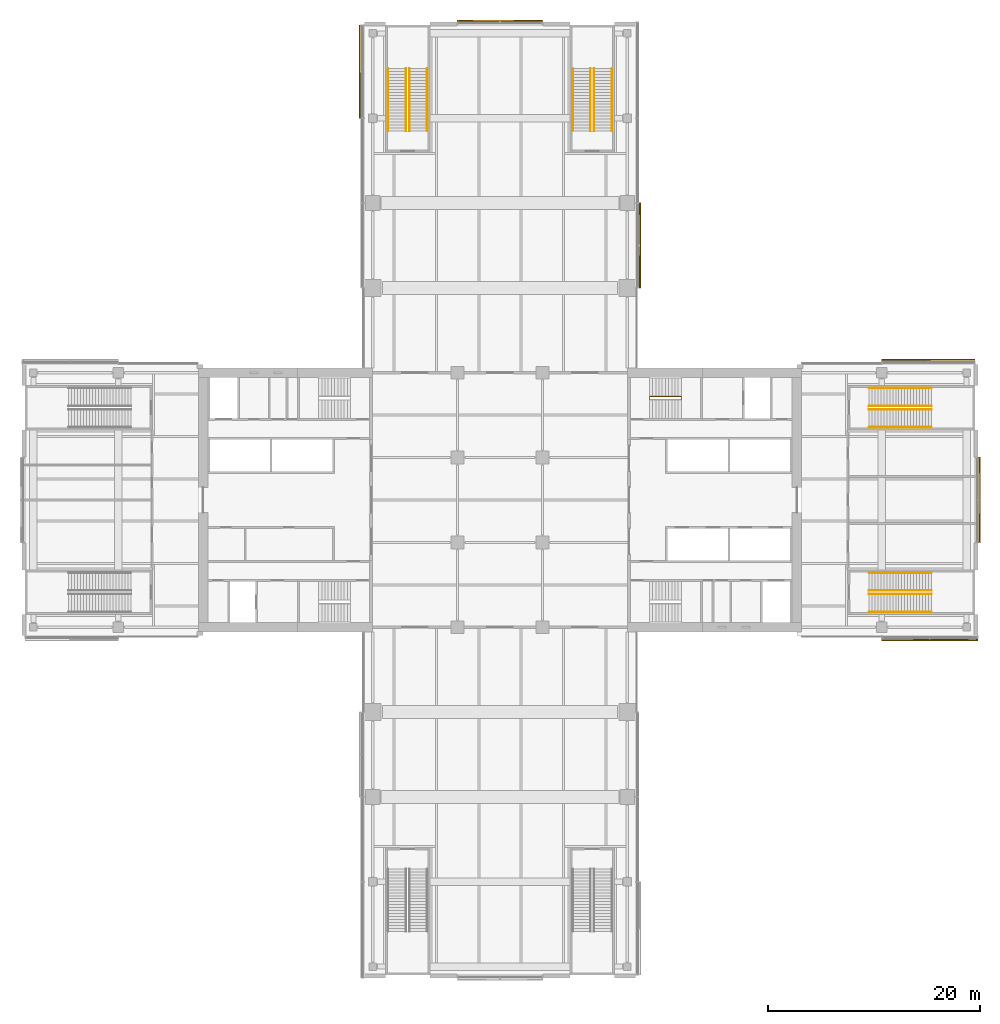
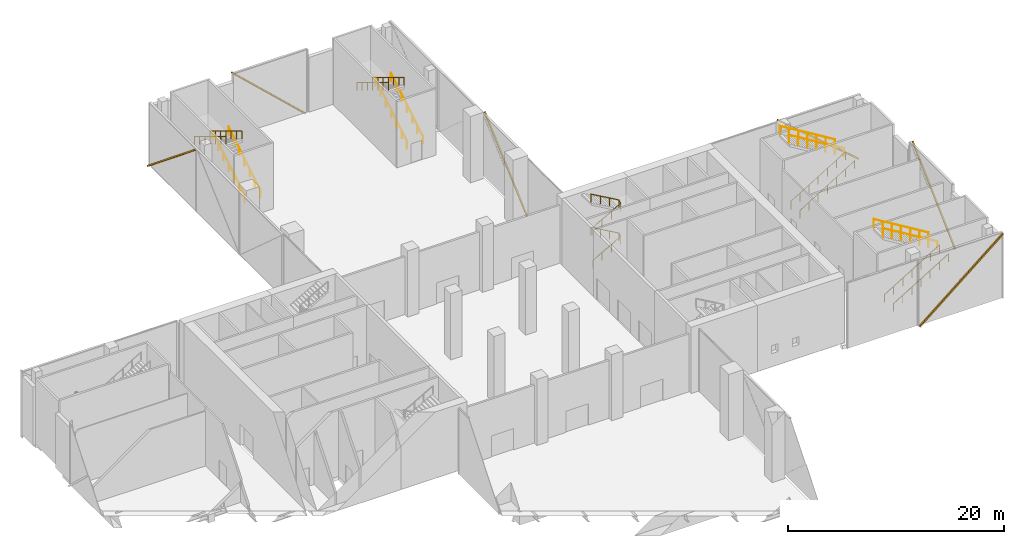
# One storey, part 25 of 25: 17 railings, 6 shading devices, 6 elements without a shape of their own.
"""IFC4 building model written with IfcOpenShell, lengths in metres."""

from ifc_helpers import new_model, si_unit, direction, frame, origin, origin_2d, place, context, subcontext, project, spatial, rectangle, circle, extrude, material, material_profile, profile_set, type_object, element, aggregate, save


model = new_model("IFC4")

# Units and contexts
model_context = context("Model", 3, precision=1e-05, world=origin(), true_north=direction((0.0, 1.0)))
body_context = subcontext(model_context, "Body", "Model", "MODEL_VIEW")
ifc_project = project(units=[si_unit("LENGTHUNIT", "METRE"), si_unit("AREAUNIT", "SQUARE_METRE"), si_unit("VOLUMEUNIT", "CUBIC_METRE"), si_unit("PLANEANGLEUNIT", "RADIAN"), si_unit("MASSUNIT", "GRAM", prefix="KILO")], contexts=[model_context])

# Site, building, storey
site_placement = place(None, origin())
site = spatial("IfcSite", under=ifc_project, at=site_placement, CompositionType="ELEMENT")
building_placement = place(site_placement, origin())
building = spatial("IfcBuilding", under=site, at=building_placement, Name="Crosswind Convention Tower", CompositionType="ELEMENT")
storey_placement = place(building_placement, frame((0.0, 0.0, 10.0)))
storey = spatial("IfcBuildingStorey", under=building, at=storey_placement, Name="L01", CompositionType="ELEMENT", Elevation=10.0)

# Railings
ifc_material_1 = material(Name="Stainless steel", Category="steel")
railing_type_1 = type_object("IfcRailingType", Name="STAIR HANDRAIL 900", PredefinedType="HANDRAIL", material=ifc_material_1)
for number, where, name in (
    (1, (159.800048828125, 89.4599609375, 0.17041015625), "Handrail E1 L01 1"),
    (2, (159.800048828125, 91.139892578125, 0.17041015625), "Handrail E1 L01 2"),
):
    element("IfcRailing", number, at=place(storey_placement, frame(where)), inside=storey, type_object=railing_type_1, Name=name, PredefinedType="HANDRAIL", context=body_context, shape_type="SweptSolid", body=[
        extrude(circle(Radius=0.02392578125, at=origin_2d()), frame((0.0, 0.0, 0.8759765625), z_axis=(0.854164310681, 0.0, 0.520003202259), x_axis=(0.0, 1.0, 0.0)), (0.0, 0.0, 1.0), 6.8837890625),
        extrude(circle(Radius=0.02099609375, at=origin_2d()), origin(), (0.0, 0.0, 1.0), 0.851806640625),
        extrude(circle(Radius=0.02099609375, at=origin_2d()), frame((0.97998046875, 0.0, 0.5966796875)), (0.0, 0.0, 1.0), 0.851806640625),
        extrude(circle(Radius=0.02099609375, at=origin_2d()), frame((1.9599609375, 0.0, 1.193115234375)), (0.0, 0.0, 1.0), 0.851806640625),
        extrude(circle(Radius=0.02099609375, at=origin_2d()), frame((2.93994140625, 0.0, 1.789794921875)), (0.0, 0.0, 1.0), 0.851806640625),
        extrude(circle(Radius=0.02099609375, at=origin_2d()), frame((3.919921875, 0.0, 2.386474609375)), (0.0, 0.0, 1.0), 0.851806640625),
        extrude(circle(Radius=0.02099609375, at=origin_2d()), frame((4.89990234375, 0.0, 2.98291015625)), (0.0, 0.0, 1.0), 0.851806640625),
        extrude(circle(Radius=0.02099609375, at=origin_2d()), frame((5.8798828125, 0.0, 3.57958984375)), (0.0, 0.0, 1.0), 0.851806640625),
    ])
for number, where, name in (
    (3, (165.679931640625, 91.4599609375, 3.92041015625), "Handrail E1 L01 3"),
    (4, (165.679931640625, 93.139892578125, 3.92041015625), "Handrail E1 L01 4"),
):
    element("IfcRailing", number, at=place(storey_placement, frame(where)), inside=storey, type_object=railing_type_1, Name=name, PredefinedType="HANDRAIL", context=body_context, shape_type="SweptSolid", body=[
        extrude(circle(Radius=0.02392578125, at=origin_2d()), frame((0.0, 0.0, 0.8759765625), z_axis=(-0.854164310681, 0.0, 0.520003202259), x_axis=(0.0, -1.0, 0.0)), (0.0, 0.0, 1.0), 6.8837890625),
        extrude(circle(Radius=0.02099609375, at=origin_2d()), origin(), (0.0, 0.0, 1.0), 0.851806640625),
        extrude(circle(Radius=0.02099609375, at=origin_2d()), frame((-0.97998046875, 0.0, 0.5966796875)), (0.0, 0.0, 1.0), 0.851806640625),
        extrude(circle(Radius=0.02099609375, at=origin_2d()), frame((-1.9599609375, 0.0, 1.193115234375)), (0.0, 0.0, 1.0), 0.851806640625),
        extrude(circle(Radius=0.02099609375, at=origin_2d()), frame((-2.93994140625, 0.0, 1.789794921875)), (0.0, 0.0, 1.0), 0.851806640625),
        extrude(circle(Radius=0.02099609375, at=origin_2d()), frame((-3.919921875, 0.0, 2.386474609375)), (0.0, 0.0, 1.0), 0.851806640625),
        extrude(circle(Radius=0.02099609375, at=origin_2d()), frame((-4.89990234375, 0.0, 2.98291015625)), (0.0, 0.0, 1.0), 0.851806640625),
        extrude(circle(Radius=0.02099609375, at=origin_2d()), frame((-5.8798828125, 0.0, 3.57958984375)), (0.0, 0.0, 1.0), 0.851806640625),
    ])
for number, where, name in (
    (5, (159.800048828125, 106.860107421875, 0.17041015625), "Handrail E2 L01 1"),
    (6, (159.800048828125, 108.5400390625, 0.17041015625), "Handrail E2 L01 2"),
):
    element("IfcRailing", number, at=place(storey_placement, frame(where)), inside=storey, type_object=railing_type_1, Name=name, PredefinedType="HANDRAIL", context=body_context, shape_type="SweptSolid", body=[
        extrude(circle(Radius=0.02392578125, at=origin_2d()), frame((0.0, 0.0, 0.8759765625), z_axis=(0.854164310681, 0.0, 0.520003202259), x_axis=(0.0, 1.0, 0.0)), (0.0, 0.0, 1.0), 6.8837890625),
        extrude(circle(Radius=0.02099609375, at=origin_2d()), origin(), (0.0, 0.0, 1.0), 0.851806640625),
        extrude(circle(Radius=0.02099609375, at=origin_2d()), frame((0.97998046875, 0.0, 0.5966796875)), (0.0, 0.0, 1.0), 0.851806640625),
        extrude(circle(Radius=0.02099609375, at=origin_2d()), frame((1.9599609375, 0.0, 1.193115234375)), (0.0, 0.0, 1.0), 0.851806640625),
        extrude(circle(Radius=0.02099609375, at=origin_2d()), frame((2.93994140625, 0.0, 1.789794921875)), (0.0, 0.0, 1.0), 0.851806640625),
        extrude(circle(Radius=0.02099609375, at=origin_2d()), frame((3.919921875, 0.0, 2.386474609375)), (0.0, 0.0, 1.0), 0.851806640625),
        extrude(circle(Radius=0.02099609375, at=origin_2d()), frame((4.89990234375, 0.0, 2.98291015625)), (0.0, 0.0, 1.0), 0.851806640625),
        extrude(circle(Radius=0.02099609375, at=origin_2d()), frame((5.8798828125, 0.0, 3.57958984375)), (0.0, 0.0, 1.0), 0.851806640625),
    ])
for number, where, name in (
    (7, (165.679931640625, 108.860107421875, 3.92041015625), "Handrail E2 L01 3"),
    (8, (165.679931640625, 110.5400390625, 3.92041015625), "Handrail E2 L01 4"),
):
    element("IfcRailing", number, at=place(storey_placement, frame(where)), inside=storey, type_object=railing_type_1, Name=name, PredefinedType="HANDRAIL", context=body_context, shape_type="SweptSolid", body=[
        extrude(circle(Radius=0.02392578125, at=origin_2d()), frame((0.0, 0.0, 0.8759765625), z_axis=(-0.854164310681, 0.0, 0.520003202259), x_axis=(0.0, -1.0, 0.0)), (0.0, 0.0, 1.0), 6.8837890625),
        extrude(circle(Radius=0.02099609375, at=origin_2d()), origin(), (0.0, 0.0, 1.0), 0.851806640625),
        extrude(circle(Radius=0.02099609375, at=origin_2d()), frame((-0.97998046875, 0.0, 0.5966796875)), (0.0, 0.0, 1.0), 0.851806640625),
        extrude(circle(Radius=0.02099609375, at=origin_2d()), frame((-1.9599609375, 0.0, 1.193115234375)), (0.0, 0.0, 1.0), 0.851806640625),
        extrude(circle(Radius=0.02099609375, at=origin_2d()), frame((-2.93994140625, 0.0, 1.789794921875)), (0.0, 0.0, 1.0), 0.851806640625),
        extrude(circle(Radius=0.02099609375, at=origin_2d()), frame((-3.919921875, 0.0, 2.386474609375)), (0.0, 0.0, 1.0), 0.851806640625),
        extrude(circle(Radius=0.02099609375, at=origin_2d()), frame((-4.89990234375, 0.0, 2.98291015625)), (0.0, 0.0, 1.0), 0.851806640625),
        extrude(circle(Radius=0.02099609375, at=origin_2d()), frame((-5.8798828125, 0.0, 3.57958984375)), (0.0, 0.0, 1.0), 0.851806640625),
    ])
for number, where, name in (
    (9, (118.139892578125, 134.800048828125, 0.17041015625), "Handrail N1 L01 1"),
    (10, (116.4599609375, 134.800048828125, 0.17041015625), "Handrail N1 L01 2"),
):
    element("IfcRailing", number, at=place(storey_placement, frame(where)), inside=storey, type_object=railing_type_1, Name=name, PredefinedType="HANDRAIL", context=body_context, shape_type="SweptSolid", body=[
        extrude(circle(Radius=0.02392578125, at=origin_2d()), frame((0.0, 0.0, 0.8759765625), z_axis=(0.0, 0.854164310681, 0.520003202259), x_axis=(-1.0, 0.0, 0.0)), (0.0, 0.0, 1.0), 6.8837890625),
        extrude(circle(Radius=0.02099609375, at=origin_2d()), origin(), (0.0, 0.0, 1.0), 0.851806640625),
        extrude(circle(Radius=0.02099609375, at=origin_2d()), frame((0.0, 0.97998046875, 0.5966796875)), (0.0, 0.0, 1.0), 0.851806640625),
        extrude(circle(Radius=0.02099609375, at=origin_2d()), frame((0.0, 1.9599609375, 1.193115234375)), (0.0, 0.0, 1.0), 0.851806640625),
        extrude(circle(Radius=0.02099609375, at=origin_2d()), frame((0.0, 2.93994140625, 1.789794921875)), (0.0, 0.0, 1.0), 0.851806640625),
        extrude(circle(Radius=0.02099609375, at=origin_2d()), frame((0.0, 3.919921875, 2.386474609375)), (0.0, 0.0, 1.0), 0.851806640625),
        extrude(circle(Radius=0.02099609375, at=origin_2d()), frame((0.0, 4.89990234375, 2.98291015625)), (0.0, 0.0, 1.0), 0.851806640625),
        extrude(circle(Radius=0.02099609375, at=origin_2d()), frame((0.0, 5.8798828125, 3.57958984375)), (0.0, 0.0, 1.0), 0.851806640625),
    ])
for number, where, name in (
    (11, (116.139892578125, 140.679931640625, 3.92041015625), "Handrail N1 L01 3"),
    (12, (114.4599609375, 140.679931640625, 3.92041015625), "Handrail N1 L01 4"),
):
    element("IfcRailing", number, at=place(storey_placement, frame(where)), inside=storey, type_object=railing_type_1, Name=name, PredefinedType="HANDRAIL", context=body_context, shape_type="SweptSolid", body=[
        extrude(circle(Radius=0.02392578125, at=origin_2d()), frame((0.0, 0.0, 0.8759765625), z_axis=(0.0, -0.854164310681, 0.520003202259), x_axis=(1.0, 0.0, 0.0)), (0.0, 0.0, 1.0), 6.8837890625),
        extrude(circle(Radius=0.02099609375, at=origin_2d()), origin(), (0.0, 0.0, 1.0), 0.851806640625),
        extrude(circle(Radius=0.02099609375, at=origin_2d()), frame((0.0, -0.97998046875, 0.5966796875)), (0.0, 0.0, 1.0), 0.851806640625),
        extrude(circle(Radius=0.02099609375, at=origin_2d()), frame((0.0, -1.9599609375, 1.193115234375)), (0.0, 0.0, 1.0), 0.851806640625),
        extrude(circle(Radius=0.02099609375, at=origin_2d()), frame((0.0, -2.93994140625, 1.789794921875)), (0.0, 0.0, 1.0), 0.851806640625),
        extrude(circle(Radius=0.02099609375, at=origin_2d()), frame((0.0, -3.919921875, 2.386474609375)), (0.0, 0.0, 1.0), 0.851806640625),
        extrude(circle(Radius=0.02099609375, at=origin_2d()), frame((0.0, -4.89990234375, 2.98291015625)), (0.0, 0.0, 1.0), 0.851806640625),
        extrude(circle(Radius=0.02099609375, at=origin_2d()), frame((0.0, -5.8798828125, 3.57958984375)), (0.0, 0.0, 1.0), 0.851806640625),
    ])
for number, where, name in (
    (13, (135.5400390625, 134.800048828125, 0.17041015625), "Handrail N2 L01 1"),
    (14, (133.860107421875, 134.800048828125, 0.17041015625), "Handrail N2 L01 2"),
):
    element("IfcRailing", number, at=place(storey_placement, frame(where)), inside=storey, type_object=railing_type_1, Name=name, PredefinedType="HANDRAIL", context=body_context, shape_type="SweptSolid", body=[
        extrude(circle(Radius=0.02392578125, at=origin_2d()), frame((0.0, 0.0, 0.8759765625), z_axis=(0.0, 0.854164310681, 0.520003202259), x_axis=(-1.0, 0.0, 0.0)), (0.0, 0.0, 1.0), 6.8837890625),
        extrude(circle(Radius=0.02099609375, at=origin_2d()), origin(), (0.0, 0.0, 1.0), 0.851806640625),
        extrude(circle(Radius=0.02099609375, at=origin_2d()), frame((0.0, 0.97998046875, 0.5966796875)), (0.0, 0.0, 1.0), 0.851806640625),
        extrude(circle(Radius=0.02099609375, at=origin_2d()), frame((0.0, 1.9599609375, 1.193115234375)), (0.0, 0.0, 1.0), 0.851806640625),
        extrude(circle(Radius=0.02099609375, at=origin_2d()), frame((0.0, 2.93994140625, 1.789794921875)), (0.0, 0.0, 1.0), 0.851806640625),
        extrude(circle(Radius=0.02099609375, at=origin_2d()), frame((0.0, 3.919921875, 2.386474609375)), (0.0, 0.0, 1.0), 0.851806640625),
        extrude(circle(Radius=0.02099609375, at=origin_2d()), frame((0.0, 4.89990234375, 2.98291015625)), (0.0, 0.0, 1.0), 0.851806640625),
        extrude(circle(Radius=0.02099609375, at=origin_2d()), frame((0.0, 5.8798828125, 3.57958984375)), (0.0, 0.0, 1.0), 0.851806640625),
    ])
for number, where, name in (
    (15, (133.5400390625, 140.679931640625, 3.92041015625), "Handrail N2 L01 3"),
    (16, (131.860107421875, 140.679931640625, 3.92041015625), "Handrail N2 L01 4"),
):
    element("IfcRailing", number, at=place(storey_placement, frame(where)), inside=storey, type_object=railing_type_1, Name=name, PredefinedType="HANDRAIL", context=body_context, shape_type="SweptSolid", body=[
        extrude(circle(Radius=0.02392578125, at=origin_2d()), frame((0.0, 0.0, 0.8759765625), z_axis=(0.0, -0.854164310681, 0.520003202259), x_axis=(1.0, 0.0, 0.0)), (0.0, 0.0, 1.0), 6.8837890625),
        extrude(circle(Radius=0.02099609375, at=origin_2d()), origin(), (0.0, 0.0, 1.0), 0.851806640625),
        extrude(circle(Radius=0.02099609375, at=origin_2d()), frame((0.0, -0.97998046875, 0.5966796875)), (0.0, 0.0, 1.0), 0.851806640625),
        extrude(circle(Radius=0.02099609375, at=origin_2d()), frame((0.0, -1.9599609375, 1.193115234375)), (0.0, 0.0, 1.0), 0.851806640625),
        extrude(circle(Radius=0.02099609375, at=origin_2d()), frame((0.0, -2.93994140625, 1.789794921875)), (0.0, 0.0, 1.0), 0.851806640625),
        extrude(circle(Radius=0.02099609375, at=origin_2d()), frame((0.0, -3.919921875, 2.386474609375)), (0.0, 0.0, 1.0), 0.851806640625),
        extrude(circle(Radius=0.02099609375, at=origin_2d()), frame((0.0, -4.89990234375, 2.98291015625)), (0.0, 0.0, 1.0), 0.851806640625),
        extrude(circle(Radius=0.02099609375, at=origin_2d()), frame((0.0, -5.8798828125, 3.57958984375)), (0.0, 0.0, 1.0), 0.851806640625),
    ])
railing_type_2 = type_object("IfcRailingType", Name="Stair handrail 900", PredefinedType="HANDRAIL", material=ifc_material_1)
railing_placement = place(storey_placement, frame((139.10009765625, 109.43994140625, 0.17041015625)))
element("IfcRailing", 17, at=railing_placement, inside=storey, type_object=railing_type_2, Name="Stair ST1 handrail L01", PredefinedType="HANDRAIL", context=body_context, shape_type="SweptSolid", body=[
    extrude(circle(Radius=0.02392578125, at=origin_2d()), frame((0.0, 0.0, 0.8759765625), z_axis=(0.869451031676, 0.0, 0.494019132744), x_axis=(0.0, 1.0, 0.0)), (0.0, 0.0, 1.0), 3.450439453125),
    extrude(circle(Radius=0.02392578125, at=origin_2d()), frame((3.0, 0.0, 2.58056640625), z_axis=(0.0, 0.882688199001, 0.469959086883), x_axis=(-1.0, 0.0, 0.0)), (0.0, 0.0, 1.0), 0.362548828125),
    extrude(circle(Radius=0.02392578125, at=origin_2d()), frame((3.0, 0.320068359375, 2.7509765625), z_axis=(-0.869451031676, 0.0, 0.494019132744), x_axis=(0.0, -1.0, 0.0)), (0.0, 0.0, 1.0), 3.450439453125),
    extrude(circle(Radius=0.02392578125, at=origin_2d()), frame((0.0, 0.320068359375, 4.45556640625), z_axis=(0.0, -0.882688199001, 0.469959086883), x_axis=(1.0, 0.0, 0.0)), (0.0, 0.0, 1.0), 0.362548828125),
    extrude(circle(Radius=0.02392578125, at=origin_2d()), frame((0.0, 0.0, 4.6259765625), z_axis=(0.869451031676, 0.0, 0.494019132744), x_axis=(0.0, 1.0, 0.0)), (0.0, 0.0, 1.0), 3.450439453125),
    extrude(circle(Radius=0.02392578125, at=origin_2d()), frame((3.0, 0.0, 6.33056640625), z_axis=(0.0, 0.882688199001, 0.469959086883), x_axis=(-1.0, 0.0, 0.0)), (0.0, 0.0, 1.0), 0.362548828125),
    extrude(circle(Radius=0.02392578125, at=origin_2d()), frame((3.0, 0.320068359375, 6.5009765625), z_axis=(-0.869451031676, 0.0, 0.494019132744), x_axis=(0.0, -1.0, 0.0)), (0.0, 0.0, 1.0), 3.450439453125),
    extrude(circle(Radius=0.02099609375, at=origin_2d()), origin(), (0.0, 0.0, 1.0), 0.851806640625),
    extrude(circle(Radius=0.02099609375, at=origin_2d()), frame((1.0, 0.0, 0.568115234375)), (0.0, 0.0, 1.0), 0.851806640625),
    extrude(circle(Radius=0.02099609375, at=origin_2d()), frame((2.0, 0.0, 1.136474609375)), (0.0, 0.0, 1.0), 0.851806640625),
    extrude(circle(Radius=0.02099609375, at=origin_2d()), frame((3.0, 0.0, 1.70458984375)), (0.0, 0.0, 1.0), 0.851806640625),
    extrude(circle(Radius=0.02099609375, at=origin_2d()), frame((3.0, 0.320068359375, 1.875)), (0.0, 0.0, 1.0), 0.851806640625),
    extrude(circle(Radius=0.02099609375, at=origin_2d()), frame((2.0, 0.320068359375, 2.443115234375)), (0.0, 0.0, 1.0), 0.851806640625),
    extrude(circle(Radius=0.02099609375, at=origin_2d()), frame((1.0, 0.320068359375, 3.011474609375)), (0.0, 0.0, 1.0), 0.851806640625),
    extrude(circle(Radius=0.02099609375, at=origin_2d()), frame((0.0, 0.320068359375, 3.57958984375)), (0.0, 0.0, 1.0), 0.851806640625),
    extrude(circle(Radius=0.02099609375, at=origin_2d()), frame((0.0, 0.0, 3.75)), (0.0, 0.0, 1.0), 0.851806640625),
    extrude(circle(Radius=0.02099609375, at=origin_2d()), frame((1.0, 0.0, 4.318115234375)), (0.0, 0.0, 1.0), 0.851806640625),
    extrude(circle(Radius=0.02099609375, at=origin_2d()), frame((2.0, 0.0, 4.886474609375)), (0.0, 0.0, 1.0), 0.851806640625),
    extrude(circle(Radius=0.02099609375, at=origin_2d()), frame((3.0, 0.0, 5.45458984375)), (0.0, 0.0, 1.0), 0.851806640625),
    extrude(circle(Radius=0.02099609375, at=origin_2d()), frame((3.0, 0.320068359375, 5.625)), (0.0, 0.0, 1.0), 0.851806640625),
    extrude(circle(Radius=0.02099609375, at=origin_2d()), frame((2.0, 0.320068359375, 6.193115234375)), (0.0, 0.0, 1.0), 0.851806640625),
    extrude(circle(Radius=0.02099609375, at=origin_2d()), frame((1.0, 0.320068359375, 6.761474609375)), (0.0, 0.0, 1.0), 0.851806640625),
    extrude(circle(Radius=0.02099609375, at=origin_2d()), frame((0.0, 0.320068359375, 7.32958984375)), (0.0, 0.0, 1.0), 0.851806640625),
])

# Curtain wall, shading device
ifc_material_2 = material(Name="Aluminium unitised curtain wall", Category="aluminium")
curtain_wall_type = type_object("IfcCurtainWallType", Name="PODIUM UNITISED WALL 300", PredefinedType="USERDEFINED", material=ifc_material_2)
curtain_wall_1_placement = place(storey_placement, origin())
curtain_wall_1 = element("IfcCurtainWall", 18, at=curtain_wall_1_placement, inside=storey, type_object=curtain_wall_type, Name="CW1 L01 E-TIP 1", ObjectType="UNITISED", PredefinedType="USERDEFINED")
ifc_material_3 = material(Name="Extruded terracotta", Category="masonry")
ifc_material_profile = material_profile(ifc_material_3, rectangle(XDim=0.139892578125, YDim=0.159912109375, at=origin_2d()), Name="TC 140X160")
ifc_profile_set = profile_set([ifc_material_profile], Name="Extruded terracotta")
shading_device_type = type_object("IfcShadingDeviceType", Name="TERRACOTTA BAGUETTE 160X140", PredefinedType="USERDEFINED", material=ifc_profile_set)
shading_device_1_placement = place(storey_placement, frame((170.194091796875, 96.0400390625, -0.39990234375), z_axis=(0.0, 0.72976726653, 0.683695646251), x_axis=(-1.0, 0.0, 0.0)))
shading_device_1 = element("IfcShadingDevice", 19, at=shading_device_1_placement, type_object=shading_device_type, Name="CW1 terracotta baguette 1", ObjectType="BAGUETTE", PredefinedType="USERDEFINED", context=body_context, shape_type="SweptSolid", body=[
    extrude(rectangle(XDim=0.139892578125, YDim=0.159912109375, at=origin_2d()), origin(), (0.0, 0.0, 1.0), 10.852783203125),
])
aggregate(curtain_wall_1, [shading_device_1])

curtain_wall_2_placement = place(storey_placement, origin())
curtain_wall_2 = element("IfcCurtainWall", 20, at=curtain_wall_2_placement, inside=storey, type_object=curtain_wall_type, Name="CW1 L01 E-N 1", ObjectType="UNITISED", PredefinedType="USERDEFINED")
shading_device_2_placement = place(storey_placement, frame((169.719970703125, 113.194091796875, -0.39990234375), z_axis=(-0.760122195951, 0.0, 0.649780152992), x_axis=(0.0, -1.0, 0.0)))
shading_device_2 = element("IfcShadingDevice", 21, at=shading_device_2_placement, type_object=shading_device_type, Name="CW1 terracotta baguette 1", ObjectType="BAGUETTE", PredefinedType="USERDEFINED", context=body_context, shape_type="SweptSolid", body=[
    extrude(rectangle(XDim=0.139892578125, YDim=0.159912109375, at=origin_2d()), origin(), (0.0, 0.0, 1.0), 11.419189453125),
])
aggregate(curtain_wall_2, [shading_device_2])

curtain_wall_3_placement = place(storey_placement, origin())
curtain_wall_3 = element("IfcCurtainWall", 22, at=curtain_wall_3_placement, inside=storey, type_object=curtain_wall_type, Name="CW1 L01 N-E 1", ObjectType="UNITISED", PredefinedType="USERDEFINED")
shading_device_3_placement = place(storey_placement, frame((138.194091796875, 120.0400390625, -0.044921875), z_axis=(0.0, 0.746237988107, 0.66567925092), x_axis=(-1.0, 0.0, 0.0)))
shading_device_3 = element("IfcShadingDevice", 23, at=shading_device_3_placement, type_object=shading_device_type, Name="CW1 terracotta baguette 1", ObjectType="BAGUETTE", PredefinedType="USERDEFINED", context=body_context, shape_type="SweptSolid", body=[
    extrude(rectangle(XDim=0.139892578125, YDim=0.159912109375, at=origin_2d()), origin(), (0.0, 0.0, 1.0), 10.613037109375),
])
aggregate(curtain_wall_3, [shading_device_3])

curtain_wall_4_placement = place(storey_placement, origin())
curtain_wall_4 = element("IfcCurtainWall", 24, at=curtain_wall_4_placement, inside=storey, type_object=curtain_wall_type, Name="CW1 L01 N-TIP 1", ObjectType="UNITISED", PredefinedType="USERDEFINED")
shading_device_4_placement = place(storey_placement, frame((128.9599609375, 145.194091796875, -0.39990234375), z_axis=(-0.72976726653, 0.0, 0.683695646251), x_axis=(0.0, -1.0, 0.0)))
shading_device_4 = element("IfcShadingDevice", 25, at=shading_device_4_placement, type_object=shading_device_type, Name="CW1 terracotta baguette 1", ObjectType="BAGUETTE", PredefinedType="USERDEFINED", context=body_context, shape_type="SweptSolid", body=[
    extrude(rectangle(XDim=0.139892578125, YDim=0.159912109375, at=origin_2d()), origin(), (0.0, 0.0, 1.0), 10.852783203125),
])
aggregate(curtain_wall_4, [shading_device_4])

curtain_wall_5_placement = place(storey_placement, origin())
curtain_wall_5 = element("IfcCurtainWall", 26, at=curtain_wall_5_placement, inside=storey, type_object=curtain_wall_type, Name="CW1 L01 N-W 1", ObjectType="UNITISED", PredefinedType="USERDEFINED")
shading_device_5_placement = place(storey_placement, frame((111.805908203125, 144.719970703125, -0.044921875), z_axis=(0.0, -0.775567219554, 0.631264990281), x_axis=(1.0, 0.0, 0.0)))
shading_device_5 = element("IfcShadingDevice", 27, at=shading_device_5_placement, type_object=shading_device_type, Name="CW1 terracotta baguette 1", ObjectType="BAGUETTE", PredefinedType="USERDEFINED", context=body_context, shape_type="SweptSolid", body=[
    extrude(rectangle(XDim=0.139892578125, YDim=0.159912109375, at=origin_2d()), origin(), (0.0, 0.0, 1.0), 11.191650390625),
])
aggregate(curtain_wall_5, [shading_device_5])

curtain_wall_6_placement = place(storey_placement, origin())
curtain_wall_6 = element("IfcCurtainWall", 28, at=curtain_wall_6_placement, inside=storey, type_object=curtain_wall_type, Name="CW1 L01 E-S 2", ObjectType="UNITISED", PredefinedType="USERDEFINED")
shading_device_6_placement = place(storey_placement, frame((161.0400390625, 86.805908203125, -0.39990234375), z_axis=(0.770363050993, 0.0, 0.63760549689), x_axis=(0.0, 1.0, 0.0)))
shading_device_6 = element("IfcShadingDevice", 29, at=shading_device_6_placement, type_object=shading_device_type, Name="CW1 terracotta baguette 1", ObjectType="BAGUETTE", PredefinedType="USERDEFINED", context=body_context, shape_type="SweptSolid", body=[
    extrude(rectangle(XDim=0.139892578125, YDim=0.159912109375, at=origin_2d()), origin(), (0.0, 0.0, 1.0), 11.63720703125),
])
aggregate(curtain_wall_6, [shading_device_6])

save(model, "model.ifc")
